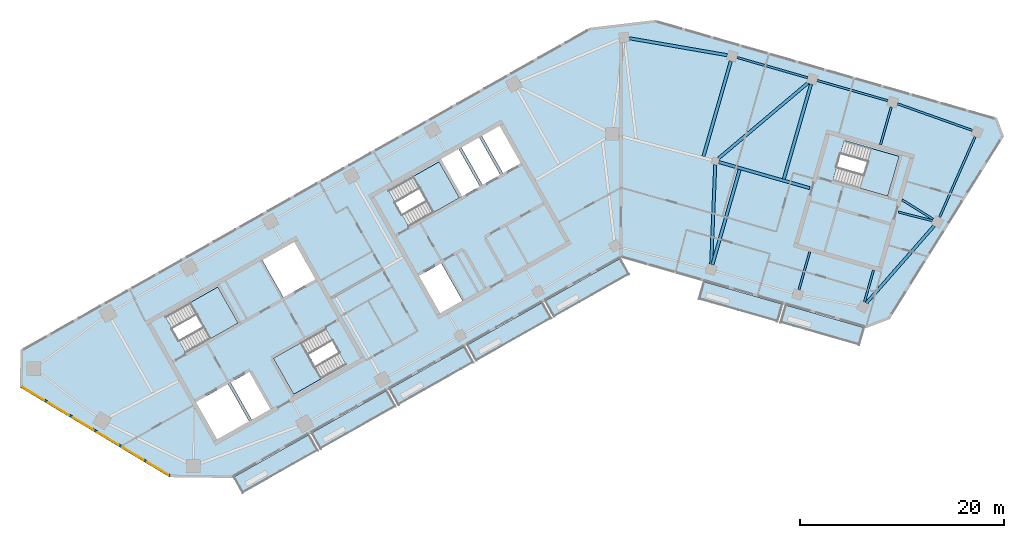
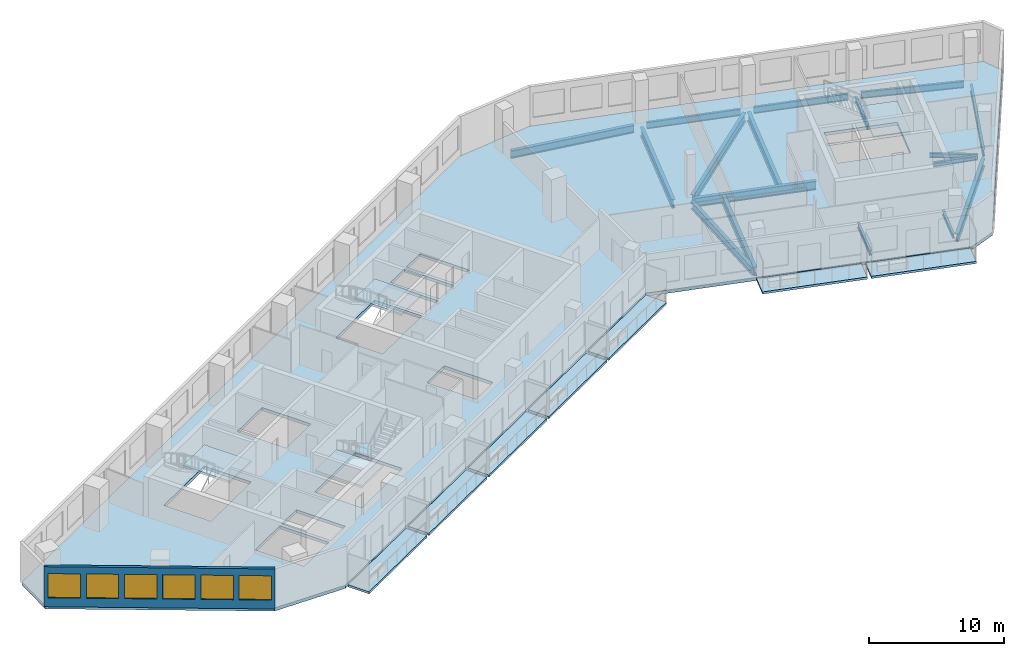
# One storey, part 2 of 12: 17 beams, 12 slabs, 6 windows, 1 wall, 6 openings, 4 elements without a shape of their own.
"""IFC4 building model written with IfcOpenShell, lengths in metres."""

from ifc_helpers import new_model, si_unit, direction, frame, frame_2d, origin, origin_2d, place, context, subcontext, project, spatial, polyline, rectangle, i_section, outline, extrude, material, layer, layer_set, material_profile, profile_set, type_object, element, fill, aggregate, save


model = new_model("IFC4")

# Units and contexts
model_context = context("Model", 3, precision=1e-05, world=origin(), true_north=direction((0.0, 1.0)))
body_context = subcontext(model_context, "Body", "Model", "MODEL_VIEW")
ifc_project = project(units=[si_unit("LENGTHUNIT", "METRE"), si_unit("AREAUNIT", "SQUARE_METRE"), si_unit("VOLUMEUNIT", "CUBIC_METRE"), si_unit("PLANEANGLEUNIT", "RADIAN"), si_unit("MASSUNIT", "GRAM", prefix="KILO")], contexts=[model_context])

# Site, building, storey
site_placement = place(None, origin())
site = spatial("IfcSite", under=ifc_project, at=site_placement, CompositionType="ELEMENT")
building_placement = place(site_placement, origin())
building = spatial("IfcBuilding", under=site, at=building_placement, Name="Binnacle Exchange Tower", CompositionType="ELEMENT")
storey_placement = place(building_placement, frame((0.0, 0.0, 211.39990234375)))
storey = spatial("IfcBuildingStorey", under=building, at=storey_placement, Name="L46", CompositionType="ELEMENT", Elevation=211.39990234375)

# Beams
ifc_material_1 = material(Name="Steel S355 (SHN355)", Category="steel")
ifc_material_profile_1 = material_profile(ifc_material_1, i_section(OverallWidth=0.199951171875, OverallDepth=0.60009765625, WebThickness=0.010986328125, FlangeThickness=0.01708984375, FilletRadius=0.02197265625, at=origin_2d()), Name="H 600x200x11x17")
ifc_profile_set_1 = profile_set([ifc_material_profile_1], Name="Steel S355 (SHN355)")
beam_type_1 = type_object("IfcBeamType", Name="Edge girder H 600x200x11x17 Steel S355 (SHN355)", PredefinedType="SPANDREL", material=ifc_profile_set_1)
beam_1_placement = place(storey_placement, frame((18.265625, 65.513916015625, -0.579833984375), z_axis=(-0.961255050864, 0.275660528891, 0.0), x_axis=(-0.275660528891, -0.961255050864, 0.0)))
element("IfcBeam", 1, at=beam_1_placement, inside=storey, type_object=beam_type_1, Name="S:BM:edge:L46:029", PredefinedType="SPANDREL", context=body_context, shape_type="SweptSolid", body=[
    extrude(i_section(OverallWidth=0.199951171875, OverallDepth=0.60009765625, WebThickness=0.010986328125, FlangeThickness=0.01708984375, FilletRadius=0.02197265625, at=origin_2d()), origin(), (0.0, 0.0, 1.0), 7.1728515625),
])
beam_2_placement = place(storey_placement, frame((26.1220703125, 63.26123046875, -0.579833984375), z_axis=(-0.96126665508, 0.275620060647, 0.0), x_axis=(-0.275620060647, -0.96126665508, 0.0)))
element("IfcBeam", 2, at=beam_2_placement, inside=storey, type_object=beam_type_1, Name="S:BM:edge:L46:031", PredefinedType="SPANDREL", context=body_context, shape_type="SweptSolid", body=[
    extrude(i_section(OverallWidth=0.199951171875, OverallDepth=0.60009765625, WebThickness=0.010986328125, FlangeThickness=0.01708984375, FilletRadius=0.02197265625, at=origin_2d()), origin(), (0.0, 0.0, 1.0), 7.173095703125),
])
ifc_material_profile_2 = material_profile(ifc_material_1, i_section(OverallWidth=0.200927734375, OverallDepth=0.60595703125, WebThickness=0.011962890625, FlangeThickness=0.02001953125, FilletRadius=0.02197265625, at=origin_2d()), Name="H 606x201x12x20")
ifc_profile_set_2 = profile_set([ifc_material_profile_2], Name="Steel S355 (SHN355)")
beam_type_2 = type_object("IfcBeamType", Name="Edge girder H 606x201x12x20 Steel S355 (SHN355)", PredefinedType="SPANDREL", material=ifc_profile_set_2)
beam_3_placement = place(storey_placement, frame((34.3984375, 60.3544921875, -0.5830078125), z_axis=(-0.942323270608, 0.334704128553, 0.0), x_axis=(-0.334704128553, -0.942323270608, 0.0)))
element("IfcBeam", 3, at=beam_3_placement, inside=storey, type_object=beam_type_2, Name="S:BM:edge:L46:033", PredefinedType="SPANDREL", context=body_context, shape_type="SweptSolid", body=[
    extrude(i_section(OverallWidth=0.200927734375, OverallDepth=0.60595703125, WebThickness=0.011962890625, FlangeThickness=0.02001953125, FilletRadius=0.02197265625, at=origin_2d()), origin(), (0.0, 0.0, 1.0), 7.77197265625),
])
ifc_material_profile_3 = material_profile(ifc_material_1, i_section(OverallWidth=0.201904296875, OverallDepth=0.612060546875, WebThickness=0.012939453125, FlangeThickness=0.02294921875, FilletRadius=0.02197265625, at=origin_2d()), Name="H 612x202x13x23")
ifc_profile_set_3 = profile_set([ifc_material_profile_3], Name="Steel S355 (SHN355)")
beam_type_3 = type_object("IfcBeamType", Name="Edge girder H 612x202x13x23 Steel S355 (SHN355)", PredefinedType="SPANDREL", material=ifc_profile_set_3)
beam_4_placement = place(storey_placement, frame((31.193359375, 51.848388671875, -0.5859375), z_axis=(0.403459457176, 0.914997522628, 0.0), x_axis=(-0.914997522628, 0.403459457176, 0.0)))
element("IfcBeam", 4, at=beam_4_placement, inside=storey, type_object=beam_type_3, Name="S:BM:edge:L46:032", PredefinedType="SPANDREL", context=body_context, shape_type="SweptSolid", body=[
    extrude(i_section(OverallWidth=0.201904296875, OverallDepth=0.612060546875, WebThickness=0.012939453125, FlangeThickness=0.02294921875, FilletRadius=0.02197265625, at=origin_2d()), origin(), (0.0, 0.0, 1.0), 8.61328125),
])
ifc_material_profile_4 = material_profile(ifc_material_1, i_section(OverallWidth=0.300048828125, OverallDepth=0.699951171875, WebThickness=0.012939453125, FlangeThickness=0.02392578125, FilletRadius=0.028076171875, at=origin_2d()), Name="H 700x300x13x24")
ifc_profile_set_4 = profile_set([ifc_material_profile_4], Name="Steel S355 (SHN355)")
beam_type_4 = type_object("IfcBeamType", Name="Edge girder H 700x300x13x24 Steel S355 (SHN355)", PredefinedType="SPANDREL", material=ifc_profile_set_4)
beam_5_placement = place(storey_placement, frame((10.39453125, 67.71484375, -0.6298828125), z_axis=(-0.985315512383, 0.170743494921, 0.0), x_axis=(-0.170743494921, -0.985315512383, 0.0)))
element("IfcBeam", 5, at=beam_5_placement, inside=storey, type_object=beam_type_4, Name="S:BM:edge:L46:027", PredefinedType="SPANDREL", context=body_context, shape_type="SweptSolid", body=[
    extrude(i_section(OverallWidth=0.300048828125, OverallDepth=0.699951171875, WebThickness=0.012939453125, FlangeThickness=0.02392578125, FilletRadius=0.028076171875, at=origin_2d()), origin(), (0.0, 0.0, 1.0), 9.72314453125),
])
beam_6_placement = place(storey_placement, frame((24.026123046875, 43.44580078125, -0.6298828125), z_axis=(0.659336218273, 0.751848223562, 0.0), x_axis=(-0.751848223562, 0.659336218273, 0.0)))
element("IfcBeam", 6, at=beam_6_placement, inside=storey, type_object=beam_type_4, Name="S:BM:edge:L46:030", PredefinedType="SPANDREL", context=body_context, shape_type="SweptSolid", body=[
    extrude(i_section(OverallWidth=0.300048828125, OverallDepth=0.699951171875, WebThickness=0.012939453125, FlangeThickness=0.02392578125, FilletRadius=0.028076171875, at=origin_2d()), origin(), (0.0, 0.0, 1.0), 10.0546875),
])
ifc_material_profile_5 = material_profile(ifc_material_1, i_section(OverallWidth=0.199951171875, OverallDepth=0.39990234375, WebThickness=0.008056640625, FlangeThickness=0.012939453125, FilletRadius=0.01611328125, at=origin_2d()), Name="H 400x200x8x13")
ifc_profile_set_5 = profile_set([ifc_material_profile_5], Name="Steel S355 (SHN355)")
beam_type_5 = type_object("IfcBeamType", Name="Floor beam H 400x200x8x13 Steel S355 (SHN355)", PredefinedType="BEAM", material=ifc_profile_set_5)
beam_7_placement = place(storey_placement, frame((23.832275390625, 43.55810546875, -0.47998046875), z_axis=(0.275607869103, 0.961270150628, 0.0), x_axis=(-0.961270150628, 0.275607869103, 0.0)))
element("IfcBeam", 7, at=beam_7_placement, inside=storey, type_object=beam_type_5, Name="S:BM:cross:L46:051", PredefinedType="BEAM", context=body_context, shape_type="SweptSolid", body=[
    extrude(i_section(OverallWidth=0.199951171875, OverallDepth=0.39990234375, WebThickness=0.008056640625, FlangeThickness=0.012939453125, FilletRadius=0.01611328125, at=origin_2d()), origin(), (0.0, 0.0, 1.0), 3.23583984375),
])
beam_8_placement = place(storey_placement, frame((30.5654296875, 51.6513671875, -0.47998046875), z_axis=(-0.848078408173, 0.529870751779, 0.0), x_axis=(-0.529870751779, -0.848078408173, 0.0)))
element("IfcBeam", 8, at=beam_8_placement, inside=storey, type_object=beam_type_5, Name="S:BM:cross:L46:053", PredefinedType="BEAM", context=body_context, shape_type="SweptSolid", body=[
    extrude(i_section(OverallWidth=0.199951171875, OverallDepth=0.39990234375, WebThickness=0.008056640625, FlangeThickness=0.012939453125, FilletRadius=0.01611328125, at=origin_2d()), origin(), (0.0, 0.0, 1.0), 3.59521484375),
])
ifc_material_profile_6 = material_profile(ifc_material_1, i_section(OverallWidth=0.199951171875, OverallDepth=0.449951171875, WebThickness=0.009033203125, FlangeThickness=0.013916015625, FilletRadius=0.01806640625, at=origin_2d()), Name="H 450x200x9x14")
ifc_profile_set_6 = profile_set([ifc_material_profile_6], Name="Steel S355 (SHN355)")
beam_type_6 = type_object("IfcBeamType", Name="Floor beam H 450x200x9x14 Steel S355 (SHN355)", PredefinedType="BEAM", material=ifc_profile_set_6)
for number, where, z_axis, x_axis, name in (
    (9, (17.426025390625, 44.771728515625, -0.5048828125), (0.27564586602, 0.961259255636, 0.0), (-0.961259255636, 0.27564586602, 0.0), "S:BM:cross:L46:049"),
    (10, (26.46484375, 62.642822265625, -0.5048828125), (-0.27564586602, -0.961259255636, 0.0), (0.961259255636, -0.27564586602, 0.0), "S:BM:cross:L46:052"),
):
    element("IfcBeam", number, at=place(storey_placement, frame(where, z_axis=z_axis, x_axis=x_axis)), inside=storey, type_object=beam_type_6, Name=name, PredefinedType="BEAM", context=body_context, shape_type="SweptSolid", body=[
        extrude(i_section(OverallWidth=0.199951171875, OverallDepth=0.449951171875, WebThickness=0.009033203125, FlangeThickness=0.013916015625, FilletRadius=0.01806640625, at=origin_2d()), origin(), (0.0, 0.0, 1.0), 3.835205078125),
    ])
ifc_material_profile_7 = material_profile(ifc_material_1, i_section(OverallWidth=0.300048828125, OverallDepth=0.800048828125, WebThickness=0.013916015625, FlangeThickness=0.02587890625, FilletRadius=0.028076171875, at=origin_2d()), Name="H 800x300x14x26")
ifc_profile_set_7 = profile_set([ifc_material_profile_7], Name="Steel S355 (SHN355)")
beam_type_7 = type_object("IfcBeamType", Name="Floor beam H 800x300x14x26 Steel S355 (SHN355)", PredefinedType="BEAM", material=ifc_profile_set_7)
beam_9_placement = place(storey_placement, frame((8.947265625, 47.202880859375, -0.679931640625), z_axis=(0.275643212873, 0.961260016435, 0.0), x_axis=(-0.961260016435, 0.275643212873, 0.0)))
element("IfcBeam", 11, at=beam_9_placement, inside=storey, type_object=beam_type_7, Name="S:BM:cross:L46:047", PredefinedType="BEAM", context=body_context, shape_type="SweptSolid", body=[
    extrude(i_section(OverallWidth=0.300048828125, OverallDepth=0.800048828125, WebThickness=0.013916015625, FlangeThickness=0.02587890625, FilletRadius=0.028076171875, at=origin_2d()), origin(), (0.0, 0.0, 1.0), 9.685302734375),
])
beam_10_placement = place(storey_placement, frame((10.752197265625, 67.1484375, -0.679931640625), z_axis=(-0.275623948616, -0.96126554029, 0.0), x_axis=(0.96126554029, -0.275623948616, 0.0)))
element("IfcBeam", 12, at=beam_10_placement, inside=storey, type_object=beam_type_7, Name="S:BM:cross:L46:048", PredefinedType="BEAM", context=body_context, shape_type="SweptSolid", body=[
    extrude(i_section(OverallWidth=0.300048828125, OverallDepth=0.800048828125, WebThickness=0.013916015625, FlangeThickness=0.02587890625, FilletRadius=0.028076171875, at=origin_2d()), origin(), (0.0, 0.0, 1.0), 9.71337890625),
])
beam_11_placement = place(storey_placement, frame((18.6083984375, 64.8955078125, -0.679931640625), z_axis=(-0.275626599208, -0.961264780281, 0.0), x_axis=(0.961264780281, -0.275626599208, 0.0)))
element("IfcBeam", 13, at=beam_11_placement, inside=storey, type_object=beam_type_7, Name="S:BM:cross:L46:050", PredefinedType="BEAM", context=body_context, shape_type="SweptSolid", body=[
    extrude(i_section(OverallWidth=0.300048828125, OverallDepth=0.800048828125, WebThickness=0.013916015625, FlangeThickness=0.02587890625, FilletRadius=0.028076171875, at=origin_2d()), origin(), (0.0, 0.0, 1.0), 9.68505859375),
])
ifc_material_profile_8 = material_profile(ifc_material_1, i_section(OverallWidth=0.199951171875, OverallDepth=0.39990234375, WebThickness=0.008056640625, FlangeThickness=0.012939453125, FilletRadius=0.01611328125, at=origin_2d()), Name="H 400x200x8x13")
ifc_profile_set_8 = profile_set([ifc_material_profile_8], Name="Steel S355 (SHN355)")
beam_type_8 = type_object("IfcBeamType", Name="Spine girder H 400x200x8x13 Steel S355 (SHN355)", PredefinedType="BEAM", material=ifc_profile_set_8)
beam_12_placement = place(storey_placement, frame((27.17138671875, 52.35400390625, -0.47998046875), z_axis=(0.969354959992, -0.245664326957, 0.0), x_axis=(0.245664326957, 0.969354959992, 0.0)))
element("IfcBeam", 14, at=beam_12_placement, inside=storey, type_object=beam_type_8, Name="S:BM:spine:L46:010", PredefinedType="BEAM", context=body_context, shape_type="SweptSolid", body=[
    extrude(i_section(OverallWidth=0.199951171875, OverallDepth=0.39990234375, WebThickness=0.008056640625, FlangeThickness=0.012939453125, FilletRadius=0.01611328125, at=origin_2d()), origin(), (0.0, 0.0, 1.0), 3.41357421875),
])
ifc_material_profile_9 = material_profile(ifc_material_1, i_section(OverallWidth=0.300048828125, OverallDepth=0.699951171875, WebThickness=0.012939453125, FlangeThickness=0.02392578125, FilletRadius=0.028076171875, at=origin_2d()), Name="H 700x300x13x24")
ifc_profile_set_9 = profile_set([ifc_material_profile_9], Name="Steel S355 (SHN355)")
beam_type_9 = type_object("IfcBeamType", Name="Spine girder H 700x300x13x24 Steel S355 (SHN355)", PredefinedType="BEAM", material=ifc_profile_set_9)
beam_13_placement = place(storey_placement, frame((9.226318359375, 56.990234375, -0.6298828125), z_axis=(-0.040566314933, -0.999176848257, 0.0), x_axis=(0.999176848257, -0.040566314933, 0.0)))
element("IfcBeam", 15, at=beam_13_placement, inside=storey, type_object=beam_type_9, Name="S:BM:spine:L46:007", PredefinedType="BEAM", context=body_context, shape_type="SweptSolid", body=[
    extrude(i_section(OverallWidth=0.300048828125, OverallDepth=0.699951171875, WebThickness=0.012939453125, FlangeThickness=0.02392578125, FilletRadius=0.028076171875, at=origin_2d()), origin(), (0.0, 0.0, 1.0), 9.76171875),
])
ifc_material_profile_10 = material_profile(ifc_material_1, i_section(OverallWidth=0.300048828125, OverallDepth=0.800048828125, WebThickness=0.013916015625, FlangeThickness=0.02587890625, FilletRadius=0.028076171875, at=origin_2d()), Name="H 800x300x14x26")
ifc_profile_set_10 = profile_set([ifc_material_profile_10], Name="Steel S355 (SHN355)")
beam_type_10 = type_object("IfcBeamType", Name="Spine girder H 800x300x14x26 Steel S355 (SHN355)", PredefinedType="BEAM", material=ifc_profile_set_10)
beam_14_placement = place(storey_placement, frame((9.577392578125, 57.253662109375, -0.679931640625), z_axis=(0.961262936931, -0.275633027924, 0.0), x_axis=(0.275633027924, 0.961262936931, 0.0)))
element("IfcBeam", 16, at=beam_14_placement, inside=storey, type_object=beam_type_10, Name="S:BM:spine:L46:009", PredefinedType="BEAM", context=body_context, shape_type="SweptSolid", body=[
    extrude(i_section(OverallWidth=0.300048828125, OverallDepth=0.800048828125, WebThickness=0.013916015625, FlangeThickness=0.02587890625, FilletRadius=0.028076171875, at=origin_2d()), origin(), (0.0, 0.0, 1.0), 9.26318359375),
])
ifc_material_profile_11 = material_profile(ifc_material_1, i_section(OverallWidth=0.302001953125, OverallDepth=0.80810546875, WebThickness=0.01611328125, FlangeThickness=0.030029296875, FilletRadius=0.028076171875, at=origin_2d()), Name="H 808x302x16x30")
ifc_profile_set_11 = profile_set([ifc_material_profile_11], Name="Steel S355 (SHN355)")
beam_type_11 = type_object("IfcBeamType", Name="Spine girder H 808x302x16x30 Steel S355 (SHN355)", PredefinedType="BEAM", material=ifc_profile_set_11)
beam_15_placement = place(storey_placement, frame((9.562744140625, 57.6220703125, -0.683837890625), z_axis=(0.764068797706, 0.645134770704, 0.0), x_axis=(-0.645134770704, 0.764068797706, 0.0)))
element("IfcBeam", 17, at=beam_15_placement, inside=storey, type_object=beam_type_11, Name="S:BM:spine:L46:008", PredefinedType="BEAM", context=body_context, shape_type="SweptSolid", body=[
    extrude(i_section(OverallWidth=0.302001953125, OverallDepth=0.80810546875, WebThickness=0.01611328125, FlangeThickness=0.030029296875, FilletRadius=0.028076171875, at=origin_2d()), origin(), (0.0, 0.0, 1.0), 11.417236328125),
])

# Slabs
ifc_material_2 = material(Name="Concrete C35/45", Category="concrete")
ifc_layer_1 = layer(ifc_material_2, 0.199951171875)
ifc_layer_set_1 = layer_set([ifc_layer_1], Name="BALCONY SLAB 200")
slab_type_1 = type_object("IfcSlabType", Name="BALCONY SLAB 200", PredefinedType="FLOOR", material=ifc_layer_set_1)
slab_1_placement = place(storey_placement, frame((0.0, 0.0, -0.199951171875)))
element("IfcSlab", 18, at=slab_1_placement, inside=storey, type_object=slab_type_1, Name="Balcony BA-G01-00 L46", PredefinedType="FLOOR", context=body_context, shape_type="SweptSolid", body=[
    extrude(outline(polyline([(-37.90576171875, 26.410400390625), (-30.54736328125, 30.573486328125), (-29.660888671875, 29.0068359375), (-37.019287109375, 24.84375), (-37.90576171875, 26.410400390625)])), origin(), (0.0, 0.0, 1.0), 0.199951171875),
])
slab_2_placement = place(storey_placement, frame((0.0, 0.0, -0.199951171875)))
element("IfcSlab", 19, at=slab_2_placement, inside=storey, type_object=slab_type_1, Name="Balcony BA-G01-01 L46", PredefinedType="FLOOR", context=body_context, shape_type="SweptSolid", body=[
    extrude(outline(polyline([(-30.2861328125, 30.72119140625), (-22.927734375, 34.884521484375), (-22.041259765625, 33.31787109375), (-29.39990234375, 29.15478515625), (-30.2861328125, 30.72119140625)])), origin(), (0.0, 0.0, 1.0), 0.199951171875),
])
slab_3_placement = place(storey_placement, frame((0.0, 0.0, -0.199951171875)))
element("IfcSlab", 20, at=slab_3_placement, inside=storey, type_object=slab_type_1, Name="Balcony BA-G01-02 L46", PredefinedType="FLOOR", context=body_context, shape_type="SweptSolid", body=[
    extrude(outline(polyline([(-22.66650390625, 35.0322265625), (-15.30810546875, 39.195556640625), (-14.421875, 37.62890625), (-21.7802734375, 33.465576171875), (-22.66650390625, 35.0322265625)])), origin(), (0.0, 0.0, 1.0), 0.199951171875),
])
slab_4_placement = place(storey_placement, frame((0.0, 0.0, -0.199951171875)))
element("IfcSlab", 21, at=slab_4_placement, inside=storey, type_object=slab_type_1, Name="Balcony BA-G01-03 L46", PredefinedType="FLOOR", context=body_context, shape_type="SweptSolid", body=[
    extrude(outline(polyline([(-15.047119140625, 39.34326171875), (-7.6884765625, 43.50634765625), (-6.802001953125, 41.939697265625), (-14.16064453125, 37.776611328125), (-15.047119140625, 39.34326171875)])), origin(), (0.0, 0.0, 1.0), 0.199951171875),
])
slab_5_placement = place(storey_placement, frame((0.0, 0.0, -0.199951171875)))
element("IfcSlab", 22, at=slab_5_placement, inside=storey, type_object=slab_type_1, Name="Balcony BA-G01-04 L46", PredefinedType="FLOOR", context=body_context, shape_type="SweptSolid", body=[
    extrude(outline(polyline([(-7.427490234375, 43.654296875), (-0.069091796875, 47.8173828125), (0.8173828125, 46.250732421875), (-6.541015625, 42.08740234375), (-7.427490234375, 43.654296875)])), origin(), (0.0, 0.0, 1.0), 0.199951171875),
])
slab_6_placement = place(storey_placement, frame((0.0, 0.0, -0.199951171875)))
element("IfcSlab", 23, at=slab_6_placement, inside=storey, type_object=slab_type_1, Name="Balcony BA-G02-01 L46", PredefinedType="FLOOR", context=body_context, shape_type="SweptSolid", body=[
    extrude(outline(polyline([(8.10791015625, 45.545166015625), (15.8173828125, 43.33447265625), (15.3212890625, 41.60400390625), (7.61181640625, 43.814697265625), (8.10791015625, 45.545166015625)])), origin(), (0.0, 0.0, 1.0), 0.199951171875),
])
slab_7_placement = place(storey_placement, frame((0.0, 0.0, -0.199951171875)))
element("IfcSlab", 24, at=slab_7_placement, inside=storey, type_object=slab_type_1, Name="Balcony BA-G02-02 L46", PredefinedType="FLOOR", context=body_context, shape_type="SweptSolid", body=[
    extrude(outline(polyline([(16.10595703125, 43.251708984375), (23.815673828125, 41.041015625), (23.319580078125, 39.310791015625), (15.60986328125, 41.521484375), (16.10595703125, 43.251708984375)])), origin(), (0.0, 0.0, 1.0), 0.199951171875),
])
ifc_layer_2 = layer(ifc_material_2, 0.280029296875)
ifc_layer_set_2 = layer_set([ifc_layer_2], Name="Floor slab 280 Concrete C35/45")
slab_type_2 = type_object("IfcSlabType", Name="Floor slab 280 Concrete C35/45", PredefinedType="FLOOR", material=ifc_layer_set_2)
slab_8_placement = place(storey_placement, frame((0.0, 0.0, -0.27978515625)))
element("IfcSlab", 25, at=slab_8_placement, inside=storey, type_object=slab_type_2, Name="S:SL:L46:01", PredefinedType="FLOOR", context=body_context, shape_type="SweptSolid", body=[
    extrude(outline(polyline([(-58.716064453125, 35.280029296875), (-58.669921875, 38.80615234375), (-3.046142578125, 70.276611328125), (3.364501953125, 71.035400390625), (36.71240234375, 61.472900390625), (37.359375, 59.787353515625), (26.23095703125, 41.978515625), (23.994140625, 41.119873046875), (0.0, 48.0), (-38.097900390625, 26.4453125), (-44.14404296875, 26.5244140625), (-58.716064453125, 35.280029296875)]), holes=[polyline([(-38.4794921875, 35.529296875), (-41.61279296875, 33.756591796875), (-39.544677734375, 30.10107421875), (-36.411376953125, 31.873779296875), (-38.4794921875, 35.529296875)]), polyline([(-36.390625, 36.711181640625), (-38.21826171875, 35.677001953125), (-36.150146484375, 32.021484375), (-34.322509765625, 33.0556640625), (-36.390625, 36.711181640625)]), polyline([(-32.04638671875, 34.515625), (-26.9287109375, 37.4111328125), (-28.923095703125, 40.93603515625), (-34.040771484375, 38.04052734375), (-32.04638671875, 34.515625)]), polyline([(-37.486572265625, 41.4912109375), (-39.480712890625, 45.01611328125), (-44.598388671875, 42.12060546875), (-42.604248046875, 38.595703125), (-37.486572265625, 41.4912109375)]), polyline([(-29.914306640625, 45.775390625), (-31.982666015625, 49.430908203125), (-35.115966796875, 47.657958984375), (-33.047607421875, 44.00244140625), (-29.914306640625, 45.775390625)]), polyline([(-17.81689453125, 57.27294921875), (-22.760498046875, 54.47607421875), (-20.76611328125, 50.950927734375), (-15.822509765625, 53.748046875), (-17.81689453125, 57.27294921875)]), polyline([(-15.53076171875, 43.6875), (-17.598876953125, 47.343017578125), (-19.77490234375, 46.11181640625), (-17.70654296875, 42.456298828125), (-15.53076171875, 43.6875)]), polyline([(-13.82080078125, 54.880615234375), (-15.888916015625, 58.5361328125), (-17.629638671875, 57.55126953125), (-15.5615234375, 53.895751953125), (-13.82080078125, 54.880615234375)]), polyline([(27.227783203125, 57.810302734375), (21.864013671875, 59.348388671875), (20.74755859375, 55.455078125), (26.111328125, 53.9169921875), (27.227783203125, 57.810302734375)]), polyline([(-11.819091796875, 56.01318359375), (-13.88720703125, 59.668701171875), (-15.6279296875, 58.683837890625), (-13.559814453125, 55.0283203125), (-11.819091796875, 56.01318359375)]), polyline([(-9.817138671875, 57.145751953125), (-11.885498046875, 60.80126953125), (-13.626220703125, 59.81640625), (-11.557861328125, 56.160888671875), (-9.817138671875, 57.145751953125)])]), origin(), (0.0, 0.0, 1.0), 0.27978515625),
])

# Stair, slab
stair_type = type_object("IfcStairType", Name="STAIR 22 RISERS 177", PredefinedType="HALF_TURN_STAIR", material=ifc_material_2)
stair_1_placement = place(storey_placement, origin())
stair_1 = element("IfcStair", 26, at=stair_1_placement, inside=storey, type_object=stair_type, Name="L46 Escape stair A1", PredefinedType="HALF_TURN_STAIR")
ifc_layer_3 = layer(ifc_material_2, 0.199951171875)
ifc_layer_set_3 = layer_set([ifc_layer_3], Name="STAIR LANDING 200")
slab_type_3 = type_object("IfcSlabType", Name="STAIR LANDING 200", PredefinedType="LANDING", material=ifc_layer_set_3)
slab_9_placement = place(storey_placement, frame((0.0, 0.0, 1.75)))
slab_9 = element("IfcSlab", 27, at=slab_9_placement, type_object=slab_type_3, Name="STA1 landing 1", PredefinedType="LANDING", context=body_context, shape_type="SweptSolid", body=[
    extrude(outline(polyline([(-40.2021484375, 39.954833984375), (-37.486572265625, 41.4912109375), (-39.48095703125, 45.01611328125), (-42.1962890625, 43.479736328125), (-40.2021484375, 39.954833984375)])), origin(), (0.0, 0.0, 1.0), 0.2001953125),
])
aggregate(stair_1, [slab_9])

stair_2_placement = place(storey_placement, origin())
stair_2 = element("IfcStair", 28, at=stair_2_placement, inside=storey, type_object=stair_type, Name="L46 Escape stair A2", PredefinedType="HALF_TURN_STAIR")
slab_10_placement = place(storey_placement, frame((0.0, 0.0, 1.75)))
slab_10 = element("IfcSlab", 29, at=slab_10_placement, type_object=slab_type_3, Name="STA2 landing 1", PredefinedType="LANDING", context=body_context, shape_type="SweptSolid", body=[
    extrude(outline(polyline([(-31.3251953125, 39.576904296875), (-34.040771484375, 38.04052734375), (-32.04638671875, 34.515625), (-29.330810546875, 36.052001953125), (-31.3251953125, 39.576904296875)])), origin(), (0.0, 0.0, 1.0), 0.2001953125),
])
aggregate(stair_2, [slab_10])

stair_3_placement = place(storey_placement, origin())
stair_3 = element("IfcStair", 30, at=stair_3_placement, inside=storey, type_object=stair_type, Name="L46 Escape stair C1", PredefinedType="HALF_TURN_STAIR")
slab_11_placement = place(storey_placement, frame((0.0, 0.0, 1.75)))
slab_11 = element("IfcSlab", 31, at=slab_11_placement, type_object=slab_type_3, Name="STC1 landing 1", PredefinedType="LANDING", context=body_context, shape_type="SweptSolid", body=[
    extrude(outline(polyline([(-18.364013671875, 52.31005859375), (-15.822509765625, 53.748046875), (-17.81689453125, 57.27294921875), (-20.3583984375, 55.8349609375), (-18.364013671875, 52.31005859375)])), origin(), (0.0, 0.0, 1.0), 0.2001953125),
])
aggregate(stair_3, [slab_11])

stair_4_placement = place(storey_placement, origin())
stair_4 = element("IfcStair", 32, at=stair_4_placement, inside=storey, type_object=stair_type, Name="L46 Escape stair D1", PredefinedType="HALF_TURN_STAIR")
slab_12_placement = place(storey_placement, frame((0.0, 0.0, 1.75)))
slab_12 = element("IfcSlab", 33, at=slab_12_placement, type_object=slab_type_3, Name="STD1 landing 1", PredefinedType="LANDING", context=body_context, shape_type="SweptSolid", body=[
    extrude(outline(polyline([(23.400634765625, 54.6943359375), (26.111328125, 53.917236328125), (27.227783203125, 57.810302734375), (24.516845703125, 58.587646484375), (23.400634765625, 54.6943359375)])), origin(), (0.0, 0.0, 1.0), 0.2001953125),
])
aggregate(stair_4, [slab_12])

# Wall, openings, windows
ifc_material_3 = material(Name="Bronze aluminium cladding", Category="aluminium")
ifc_layer_4 = layer(ifc_material_3, 0.25)
ifc_layer_set_4 = layer_set([ifc_layer_4], Name="External wall - window wall 250")
wall_type = type_object("IfcWallType", Name="External wall - window wall 250", PredefinedType="STANDARD", material=ifc_layer_set_4)
wall_placement = place(storey_placement, frame((-44.115234375, 26.507080078125, 0.0), z_axis=(0.0, 0.0, 1.0), x_axis=(-0.857166583633, 0.515039268311, 0.0)))
wall = element("IfcWall", 34, at=wall_placement, inside=storey, type_object=wall_type, Name="External wall EW-G10 L46", PredefinedType="STANDARD", context=body_context, shape_type="SweptSolid", body=[
    extrude(rectangle(XDim=17.105712890625, YDim=0.25, at=frame_2d((8.552734375, 0.0))), origin(), (0.0, 0.0, 1.0), 3.6201171875),
])
opening_1_placement = place(wall_placement, frame((14.4169921875, 0.0, 0.800048828125)))
opening_1 = element("IfcOpeningElement", 35, at=opening_1_placement, cuts=wall, Name="Opening WR1", PredefinedType="OPENING", context=body_context, shape_type="SweptSolid", body=[
    extrude(rectangle(XDim=2.39990234375, YDim=2.199951171875, at=frame_2d((1.199951171875, 1.10009765625))), frame((0.0, 0.135009765625, 0.0), z_axis=(0.0, -1.0, 0.0), x_axis=(1.0, 0.0, 0.0)), (0.0, 0.0, 1.0), 0.27001953125),
])
opening_2_placement = place(wall_placement, frame((11.583740234375, 0.0, 0.800048828125)))
opening_2 = element("IfcOpeningElement", 36, at=opening_2_placement, cuts=wall, Name="Opening WR1", PredefinedType="OPENING", context=body_context, shape_type="SweptSolid", body=[
    extrude(rectangle(XDim=2.39990234375, YDim=2.199951171875, at=frame_2d((1.199951171875, 1.10009765625))), frame((0.0, 0.135009765625, 0.0), z_axis=(0.0, -1.0, 0.0), x_axis=(1.0, 0.0, 0.0)), (0.0, 0.0, 1.0), 0.27001953125),
])
opening_3_placement = place(wall_placement, frame((8.75048828125, 0.0, 0.800048828125)))
opening_3 = element("IfcOpeningElement", 37, at=opening_3_placement, cuts=wall, Name="Opening WR1", PredefinedType="OPENING", context=body_context, shape_type="SweptSolid", body=[
    extrude(rectangle(XDim=2.39990234375, YDim=2.199951171875, at=frame_2d((1.199951171875, 1.10009765625))), frame((0.0, 0.135009765625, 0.0), z_axis=(0.0, -1.0, 0.0), x_axis=(1.0, 0.0, 0.0)), (0.0, 0.0, 1.0), 0.27001953125),
])
opening_4_placement = place(wall_placement, frame((5.9169921875, 0.0, 0.800048828125)))
opening_4 = element("IfcOpeningElement", 38, at=opening_4_placement, cuts=wall, Name="Opening WR1", PredefinedType="OPENING", context=body_context, shape_type="SweptSolid", body=[
    extrude(rectangle(XDim=2.39990234375, YDim=2.199951171875, at=frame_2d((1.199951171875, 1.10009765625))), frame((0.0, 0.135009765625, 0.0), z_axis=(0.0, -1.0, 0.0), x_axis=(1.0, 0.0, 0.0)), (0.0, 0.0, 1.0), 0.27001953125),
])
opening_5_placement = place(wall_placement, frame((3.083740234375, 0.0, 0.800048828125)))
opening_5 = element("IfcOpeningElement", 39, at=opening_5_placement, cuts=wall, Name="Opening WR1", PredefinedType="OPENING", context=body_context, shape_type="SweptSolid", body=[
    extrude(rectangle(XDim=2.39990234375, YDim=2.199951171875, at=frame_2d((1.199951171875, 1.10009765625))), frame((0.0, 0.135009765625, 0.0), z_axis=(0.0, -1.0, 0.0), x_axis=(1.0, 0.0, 0.0)), (0.0, 0.0, 1.0), 0.27001953125),
])
opening_6_placement = place(wall_placement, frame((0.25048828125, 0.0, 0.800048828125)))
opening_6 = element("IfcOpeningElement", 40, at=opening_6_placement, cuts=wall, Name="Opening WR1", PredefinedType="OPENING", context=body_context, shape_type="SweptSolid", body=[
    extrude(rectangle(XDim=2.39990234375, YDim=2.199951171875, at=frame_2d((1.199951171875, 1.10009765625))), frame((0.0, 0.135009765625, 0.0), z_axis=(0.0, -1.0, 0.0), x_axis=(1.0, 0.0, 0.0)), (0.0, 0.0, 1.0), 0.27001953125),
])
ifc_material_4 = material(Name="Bronze anodised aluminium frame", Category="aluminium")
window_type = type_object("IfcWindowType", Name="WR1 WINDOW 2400x2200", PartitioningType="SINGLE_PANEL", PredefinedType="WINDOW", material=ifc_material_4)
window_1_placement = place(opening_1_placement, origin())
window_1 = element("IfcWindow", 41, at=window_1_placement, inside=storey, type_object=window_type, Name="Window WR1 L46", OverallHeight=2.199951171875, OverallWidth=2.39990234375, PartitioningType="SINGLE_PANEL", PredefinedType="WINDOW", context=body_context, shape_type="SweptSolid", body=[
    extrude(rectangle(XDim=2.39990234375, YDim=2.199951171875, at=frame_2d((1.199951171875, 1.10009765625))), frame((0.0, 0.030029296875, 0.0), z_axis=(0.0, -1.0, 0.0), x_axis=(1.0, 0.0, 0.0)), (0.0, 0.0, 1.0), 0.06005859375),
])
fill(opening_1, window_1)
window_2_placement = place(opening_2_placement, origin())
window_2 = element("IfcWindow", 42, at=window_2_placement, inside=storey, type_object=window_type, Name="Window WR1 L46", OverallHeight=2.199951171875, OverallWidth=2.39990234375, PartitioningType="SINGLE_PANEL", PredefinedType="WINDOW", context=body_context, shape_type="SweptSolid", body=[
    extrude(rectangle(XDim=2.39990234375, YDim=2.199951171875, at=frame_2d((1.199951171875, 1.10009765625))), frame((0.0, 0.030029296875, 0.0), z_axis=(0.0, -1.0, 0.0), x_axis=(1.0, 0.0, 0.0)), (0.0, 0.0, 1.0), 0.06005859375),
])
fill(opening_2, window_2)
window_3_placement = place(opening_3_placement, origin())
window_3 = element("IfcWindow", 43, at=window_3_placement, inside=storey, type_object=window_type, Name="Window WR1 L46", OverallHeight=2.199951171875, OverallWidth=2.39990234375, PartitioningType="SINGLE_PANEL", PredefinedType="WINDOW", context=body_context, shape_type="SweptSolid", body=[
    extrude(rectangle(XDim=2.39990234375, YDim=2.199951171875, at=frame_2d((1.199951171875, 1.10009765625))), frame((0.0, 0.030029296875, 0.0), z_axis=(0.0, -1.0, 0.0), x_axis=(1.0, 0.0, 0.0)), (0.0, 0.0, 1.0), 0.06005859375),
])
fill(opening_3, window_3)
window_4_placement = place(opening_4_placement, origin())
window_4 = element("IfcWindow", 44, at=window_4_placement, inside=storey, type_object=window_type, Name="Window WR1 L46", OverallHeight=2.199951171875, OverallWidth=2.39990234375, PartitioningType="SINGLE_PANEL", PredefinedType="WINDOW", context=body_context, shape_type="SweptSolid", body=[
    extrude(rectangle(XDim=2.39990234375, YDim=2.199951171875, at=frame_2d((1.199951171875, 1.10009765625))), frame((0.0, 0.030029296875, 0.0), z_axis=(0.0, -1.0, 0.0), x_axis=(1.0, 0.0, 0.0)), (0.0, 0.0, 1.0), 0.06005859375),
])
fill(opening_4, window_4)
window_5_placement = place(opening_5_placement, origin())
window_5 = element("IfcWindow", 45, at=window_5_placement, inside=storey, type_object=window_type, Name="Window WR1 L46", OverallHeight=2.199951171875, OverallWidth=2.39990234375, PartitioningType="SINGLE_PANEL", PredefinedType="WINDOW", context=body_context, shape_type="SweptSolid", body=[
    extrude(rectangle(XDim=2.39990234375, YDim=2.199951171875, at=frame_2d((1.199951171875, 1.10009765625))), frame((0.0, 0.030029296875, 0.0), z_axis=(0.0, -1.0, 0.0), x_axis=(1.0, 0.0, 0.0)), (0.0, 0.0, 1.0), 0.06005859375),
])
fill(opening_5, window_5)
window_6_placement = place(opening_6_placement, origin())
window_6 = element("IfcWindow", 46, at=window_6_placement, inside=storey, type_object=window_type, Name="Window WR1 L46", OverallHeight=2.199951171875, OverallWidth=2.39990234375, PartitioningType="SINGLE_PANEL", PredefinedType="WINDOW", context=body_context, shape_type="SweptSolid", body=[
    extrude(rectangle(XDim=2.39990234375, YDim=2.199951171875, at=frame_2d((1.199951171875, 1.10009765625))), frame((0.0, 0.030029296875, 0.0), z_axis=(0.0, -1.0, 0.0), x_axis=(1.0, 0.0, 0.0)), (0.0, 0.0, 1.0), 0.06005859375),
])
fill(opening_6, window_6)

save(model, "model.ifc")
